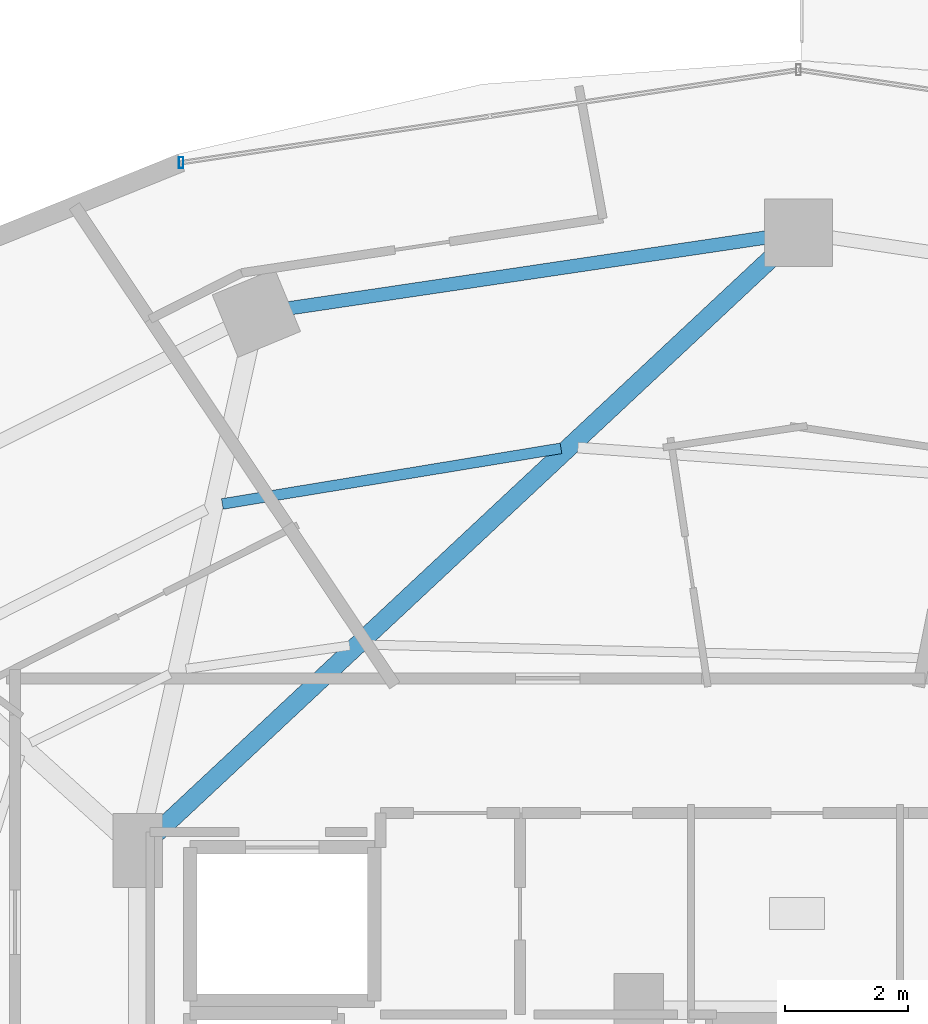
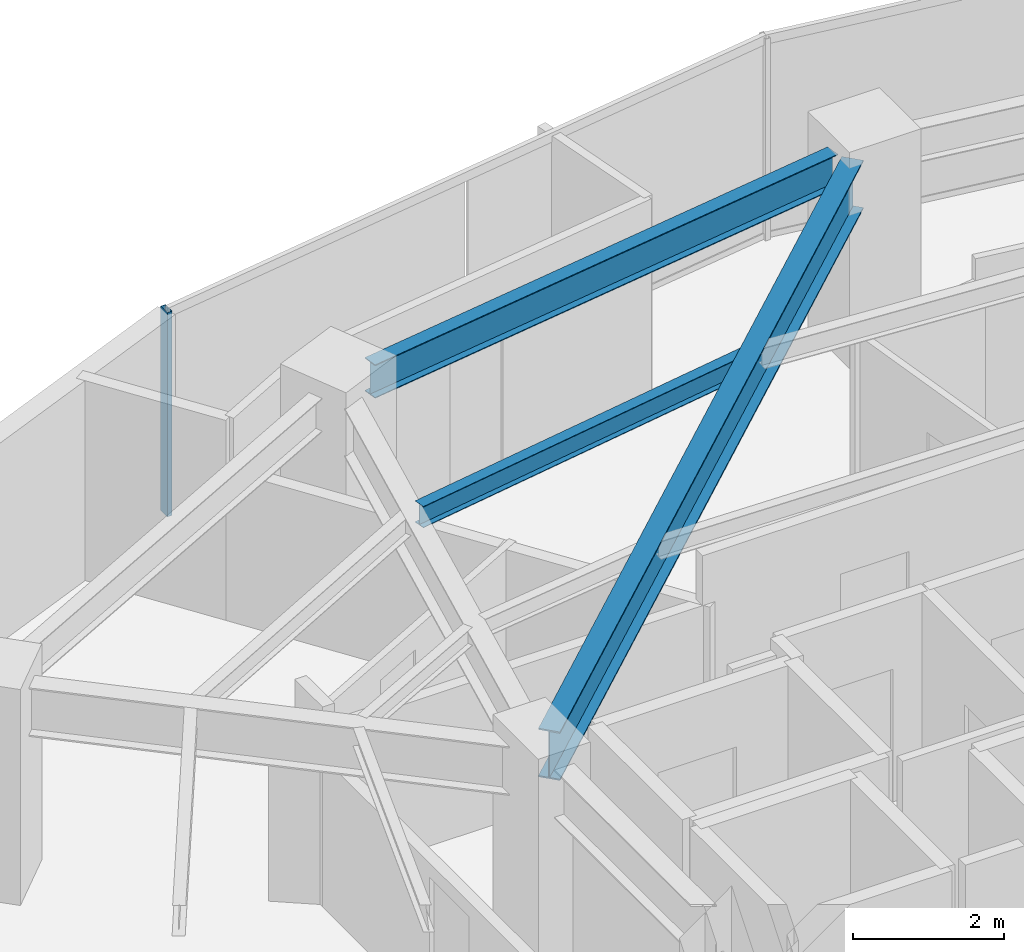
# One storey, part 18 of 30: 3 beams, 1 member, 1 element without a shape of its own.
"""IFC4 building model written with IfcOpenShell, lengths in metres."""

import ifcopenshell
import ifcopenshell.guid

model = None  # the IFC model being written
_history = None  # IfcOwnerHistory: only IFC2X3 demands one
_inside = {}  # id of a spatial element -> (the spatial element, [elements in it])
_under = {}  # id of a project, library or spatial element -> (it, [spatial elements below it])
_declared = {}  # id of a project -> (the project, [libraries it declares])
_typed = {}  # id of a type object -> (the type object, [elements of that type])
_made_of = {}  # id of a material, layer set ... -> (it, [elements and type objects made of it])


def new_model(schema):
    """Start an empty IFC model of exactly this schema.

    Asked for "IFC4X3", IfcOpenShell would pick the latest addendum, in which some entities
    have other attributes; the version numbers below select the first issue.
    IFC2X3 requires an IfcOwnerHistory on every rooted entity: one is made here for all.
    """
    global model, _history
    if schema == "IFC4X3":
        model = ifcopenshell.file(schema_version=(4, 3, 0, 0))
    else:
        model = ifcopenshell.file(schema=schema)
    _inside.clear()
    _under.clear()
    _declared.clear()
    _typed.clear()
    _made_of.clear()
    _history = None
    if model.schema == "IFC2X3":
        org = make("IfcOrganization", Name="unknown")
        user = make(
            "IfcPersonAndOrganization",
            ThePerson=make("IfcPerson", FamilyName="unknown"),
            TheOrganization=org,
        )
        app = make(
            "IfcApplication",
            ApplicationDeveloper=org,
            Version="unknown",
            ApplicationFullName="unknown",
            ApplicationIdentifier="unknown",
        )
        _history = make(
            "IfcOwnerHistory",
            OwningUser=user,
            OwningApplication=app,
            ChangeAction="ADDED",
            CreationDate=0,
        )
    return model


def make(cls, **values):
    """One entity of the class cls with the attributes given. An attribute that is None is left unset."""
    return model.create_entity(
        cls, **{name: value for name, value in values.items() if value is not None}
    )


def rooted(cls, **values):
    """An entity with a GlobalId (a new one), such as an element, a storey or a relation."""
    return make(cls, GlobalId=ifcopenshell.guid.new(), OwnerHistory=_history, **values)


def si_unit(unit_type, name, prefix=None):
    """IfcSIUnit, for example si_unit("LENGTHUNIT", "METRE", prefix="MILLI")."""
    return make("IfcSIUnit", UnitType=unit_type, Prefix=prefix, Name=name)


def assignment(units):
    """IfcUnitAssignment: the units of a project."""
    return None if units is None else make("IfcUnitAssignment", Units=units)


def point(xyz):
    """IfcCartesianPoint."""
    return None if xyz is None else make("IfcCartesianPoint", Coordinates=xyz)


def direction(xyz):
    """IfcDirection."""
    return None if xyz is None else make("IfcDirection", DirectionRatios=xyz)


def frame(location, z_axis=None, x_axis=None):
    """IfcAxis2Placement3D, a coordinate frame: its origin and axes. An axis left out is left unset."""
    return make(
        "IfcAxis2Placement3D",
        Location=point(location),
        Axis=direction(z_axis),
        RefDirection=direction(x_axis),
    )


def frame_2d(location, x_axis=None):
    """IfcAxis2Placement2D, a coordinate frame in the plane: its origin and x axis."""
    return make(
        "IfcAxis2Placement2D", Location=point(location), RefDirection=direction(x_axis)
    )


def origin():
    """The frame at (0, 0, 0) with its axes left unset."""
    return frame((0.0, 0.0, 0.0))


def origin_2d():
    """The frame at (0, 0) in the plane with its x axis left unset."""
    return frame_2d((0.0, 0.0))


def place(relative_to, where):
    """IfcLocalPlacement: puts the frame where relative to a parent placement (None: the world)."""
    return make(
        "IfcLocalPlacement", PlacementRelTo=relative_to, RelativePlacement=where
    )


def context(
    kind, dimensions, precision=None, world=None, true_north=None, identifier=None
):
    """IfcGeometricRepresentationContext, for example the 3D "Model" context."""
    return make(
        "IfcGeometricRepresentationContext",
        ContextIdentifier=identifier,
        ContextType=kind,
        CoordinateSpaceDimension=dimensions,
        Precision=precision,
        WorldCoordinateSystem=world,
        TrueNorth=true_north,
    )


def subcontext(parent, identifier, kind, view, scale=None):
    """IfcGeometricRepresentationSubContext, for example "Body" below "Model"."""
    return make(
        "IfcGeometricRepresentationSubContext",
        ContextIdentifier=identifier,
        ContextType=kind,
        ParentContext=parent,
        TargetScale=scale,
        TargetView=view,
    )


def project(units=None, contexts=None):
    """IfcProject with its units and contexts."""
    return rooted(
        "IfcProject",
        Name="project",
        RepresentationContexts=contexts,
        UnitsInContext=assignment(units),
    )


def spatial(cls, under=None, at=None, **own):
    """A site, building, storey or space (cls), placed at a placement, below another one or the project."""
    s = rooted(cls, ObjectPlacement=at, **own)
    if under is not None:
        _under.setdefault(under.id(), (under, []))[1].append(s)
    return s


def profile(cls, at=None, kind="AREA", **sizes):
    """A parametric profile (cls). Its sizes go by their IFC names, for example OverallWidth=200.0."""
    return make(cls, ProfileType=kind, Position=at, **sizes)


def hollow_rectangle(**sizes):
    """IfcRectangleHollowProfileDef."""
    return profile("IfcRectangleHollowProfileDef", **sizes)


def i_section(**sizes):
    """IfcIShapeProfileDef."""
    return profile("IfcIShapeProfileDef", **sizes)


def extrude(swept, where, along, depth):
    """IfcExtrudedAreaSolid: the profile swept, set in the frame where, extruded along a direction by depth."""
    return make(
        "IfcExtrudedAreaSolid",
        SweptArea=swept,
        Position=where,
        ExtrudedDirection=direction(along),
        Depth=depth,
    )


def shape(context_of_items, identifier, shape_type, items):
    """IfcShapeRepresentation: the items that make up one representation, for example the "Body"."""
    return make(
        "IfcShapeRepresentation",
        ContextOfItems=context_of_items,
        RepresentationIdentifier=identifier,
        RepresentationType=shape_type,
        Items=items,
    )


def material(Name=None, Category=None):
    """IfcMaterial."""
    return make("IfcMaterial", Name=Name, Category=Category)


def material_profile(
    of_material, cross_section, Name=None, Category=None, Priority=None
):
    """IfcMaterialProfile: a cross section and its material."""
    return make(
        "IfcMaterialProfile",
        Name=Name,
        Material=of_material,
        Profile=cross_section,
        Priority=Priority,
        Category=Category,
    )


def profile_set(profiles, Name=None, composite=None):
    """IfcMaterialProfileSet."""
    return make(
        "IfcMaterialProfileSet",
        Name=Name,
        MaterialProfiles=profiles,
        CompositeProfile=composite,
    )


def made_of(thing, what):
    """Note that an element or type object is made of a material, layer set ...; save() writes the relation."""
    if what is not None:
        _made_of.setdefault(what.id(), (what, []))[1].append(thing)
    return thing


def type_object(cls, material=None, **own):
    """A type object (cls), such as IfcWallType, which elements share."""
    return made_of(rooted(cls, **own), material)


def element(
    cls,
    number,
    at=None,
    inside=None,
    cuts=None,
    type_object=None,
    material=None,
    context=None,
    identifier="Body",
    shape_type=None,
    held_by="IfcProductDefinitionShape",
    body=None,
    shapes=None,
    **own,
):
    """One element of the class cls, such as IfcWall. Its Tag is "e" and its number.

    at: its placement. inside: the storey or other place that contains it. cuts: it is an
    opening in that element (IfcRelVoidsElement). A single representation is given by context,
    identifier, shape_type and body (its items); several are given by shapes. held_by: the class
    of the entity that holds the representations. save() writes the other relations.
    """
    e = rooted(cls, Tag="e%d" % number, ObjectPlacement=at, **own)
    if body is not None:
        shapes = [shape(context, identifier, shape_type, body)]
    if shapes is not None:
        e.Representation = make(held_by, Representations=shapes)
    if inside is not None:
        _inside.setdefault(inside.id(), (inside, []))[1].append(e)
    if cuts is not None:
        rooted(
            "IfcRelVoidsElement", RelatingBuildingElement=cuts, RelatedOpeningElement=e
        )
    if type_object is not None:
        _typed.setdefault(type_object.id(), (type_object, []))[1].append(e)
    return made_of(e, material)


def aggregate(whole, parts):
    """IfcRelAggregates: a whole, such as a stair, and the parts it consists of."""
    return rooted("IfcRelAggregates", RelatingObject=whole, RelatedObjects=parts)


def save(model, path):
    """Write the relations noted so far, then the file.

    IfcRelAggregates (storeys below a building ...), IfcRelContainedInSpatialStructure (elements
    in a storey), IfcRelDefinesByType, IfcRelAssociatesMaterial and IfcRelDeclares: one each for
    every whole, place, type object, material and project.
    """
    for whole, parts in _under.values():
        aggregate(whole, parts)
    for where, things in _inside.values():
        rooted(
            "IfcRelContainedInSpatialStructure",
            RelatedElements=things,
            RelatingStructure=where,
        )
    for kind, things in _typed.values():
        rooted("IfcRelDefinesByType", RelatedObjects=things, RelatingType=kind)
    for what, things in _made_of.values():
        rooted("IfcRelAssociatesMaterial", RelatedObjects=things, RelatingMaterial=what)
    for by, libraries in _declared.values():
        rooted("IfcRelDeclares", RelatingContext=by, RelatedDefinitions=libraries)
    model.write(path)


model = new_model("IFC4")

# Units and contexts
model_context = context("Model", 3, precision=1e-05, world=origin(), true_north=direction((0.0, 1.0)))
body_context = subcontext(model_context, "Body", "Model", "MODEL_VIEW")
ifc_project = project(units=[si_unit("LENGTHUNIT", "METRE"), si_unit("AREAUNIT", "SQUARE_METRE"), si_unit("VOLUMEUNIT", "CUBIC_METRE"), si_unit("PLANEANGLEUNIT", "RADIAN"), si_unit("MASSUNIT", "GRAM", prefix="KILO")], contexts=[model_context])

# Site, building, storey
site_placement = place(None, origin())
site = spatial("IfcSite", under=ifc_project, at=site_placement, CompositionType="ELEMENT")
building_placement = place(site_placement, origin())
building = spatial("IfcBuilding", under=site, at=building_placement, Name="Vorneva Point Tower", CompositionType="ELEMENT")
storey_placement = place(building_placement, frame((0.0, 0.0, 78.800048828125)))
storey = spatial("IfcBuildingStorey", under=building, at=storey_placement, Name="L20", CompositionType="ELEMENT", Elevation=78.800048828125)

# Beams
ifc_material_1 = material(Name="Steel S355", Category="steel")
ifc_material_profile_1 = material_profile(ifc_material_1, i_section(OverallWidth=0.300048828125, OverallDepth=0.7880859375, WebThickness=0.014404296875, FlangeThickness=0.02197265625, at=origin_2d()), Name="80Sh1")
ifc_profile_set_1 = profile_set([ifc_material_profile_1], Name="Steel S355")
beam_type_1 = type_object("IfcBeamType", Name="BM-GRD-80Sh1", PredefinedType="USERDEFINED", material=ifc_profile_set_1)
beam_1_placement = place(storey_placement, frame((37.60693359375, 42.83251953125, 2.845947265625), z_axis=(-0.730488863256, -0.682924608327, 0.0), x_axis=(0.682924608327, -0.730488863256, 0.0)))
element("IfcBeam", 1, at=beam_1_placement, inside=storey, type_object=beam_type_1, Name="L20 Radial Primary Girder 05", ObjectType="GIRDER", PredefinedType="USERDEFINED", context=body_context, shape_type="SweptSolid", body=[
    extrude(i_section(OverallWidth=0.300048828125, OverallDepth=0.7880859375, WebThickness=0.014404296875, FlangeThickness=0.02197265625, at=origin_2d()), origin(), (0.0, 0.0, 1.0), 13.838134765625),
])
ifc_material_profile_2 = material_profile(ifc_material_1, i_section(OverallWidth=0.174072265625, OverallDepth=0.345947265625, WebThickness=0.006103515625, FlangeThickness=0.009033203125, at=origin_2d()), Name="35B1")
ifc_profile_set_2 = profile_set([ifc_material_profile_2], Name="Steel S355")
beam_type_2 = type_object("IfcBeamType", Name="BM-SEC-35B1", PredefinedType="BEAM", material=ifc_profile_set_2)
beam_2_placement = place(storey_placement, frame((34.135009765625, 39.691650390625, 3.06689453125), z_axis=(-0.986762474115, -0.162172191443, 0.0), x_axis=(0.162172191443, -0.986762474115, 0.0)))
element("IfcBeam", 2, at=beam_2_placement, inside=storey, type_object=beam_type_2, Name="L20 Secondary Floor Beam 1.05", PredefinedType="BEAM", context=body_context, shape_type="SweptSolid", body=[
    extrude(i_section(OverallWidth=0.174072265625, OverallDepth=0.345947265625, WebThickness=0.006103515625, FlangeThickness=0.009033203125, at=origin_2d()), origin(), (0.0, 0.0, 1.0), 5.583740234375),
])
ifc_material_profile_3 = material_profile(ifc_material_1, i_section(OverallWidth=0.219970703125, OverallDepth=0.54296875, WebThickness=0.009521484375, FlangeThickness=0.013427734375, at=origin_2d()), Name="55B1")
ifc_profile_set_3 = profile_set([ifc_material_profile_3], Name="Steel S355")
beam_type_3 = type_object("IfcBeamType", Name="BM-SPN-55B1", PredefinedType="SPANDREL", material=ifc_profile_set_3)
beam_3_placement = place(storey_placement, frame((37.470703125, 43.121337890625, 2.968505859375), z_axis=(-0.989164507783, -0.146811363806, 0.0), x_axis=(0.146811363806, -0.989164507783, 0.0)))
element("IfcBeam", 3, at=beam_3_placement, inside=storey, type_object=beam_type_3, Name="L20 Perimeter Spandrel Ring Beam 05", PredefinedType="SPANDREL", context=body_context, shape_type="SweptSolid", body=[
    extrude(i_section(OverallWidth=0.219970703125, OverallDepth=0.54296875, WebThickness=0.009521484375, FlangeThickness=0.013427734375, at=origin_2d()), origin(), (0.0, 0.0, 1.0), 7.847412109375),
])

# Curtain wall, member
ifc_material_2 = material(Name="Pale anodised aluminium", Category="aluminium")
curtain_wall_type = type_object("IfcCurtainWallType", Name="CW-HTL-SYS", PredefinedType="NOTDEFINED", material=ifc_material_2)
curtain_wall_placement = place(storey_placement, origin())
curtain_wall = element("IfcCurtainWall", 4, at=curtain_wall_placement, inside=storey, type_object=curtain_wall_type, Name="L20 Unitised Curtain Wall CW-L20-R01", PredefinedType="NOTDEFINED")
ifc_material_profile_4 = material_profile(ifc_material_2, hollow_rectangle(XDim=0.074951171875, YDim=0.179931640625, WallThickness=0.00390625, at=origin_2d()), Name="AL-MUL 180x75x4")
ifc_profile_set_4 = profile_set([ifc_material_profile_4], Name="Pale anodised aluminium")
member_type = type_object("IfcMemberType", Name="CW-MUL-180", PredefinedType="MULLION", material=ifc_profile_set_4)
member_placement = place(storey_placement, frame((27.95458984375, 44.339111328125, -0.0400390625), z_axis=(0.0, 0.0, 1.0), x_axis=(1.0, 0.0, 0.0)))
member = element("IfcMember", 5, at=member_placement, type_object=member_type, Name="CW-L20-R01 Mullion 05", PredefinedType="MULLION", context=body_context, shape_type="SweptSolid", body=[
    extrude(hollow_rectangle(XDim=0.074951171875, YDim=0.179931640625, WallThickness=0.00390625, at=origin_2d()), origin(), (0.0, 0.0, 1.0), 3.31005859375),
])
aggregate(curtain_wall, [member])

save(model, "model.ifc")
